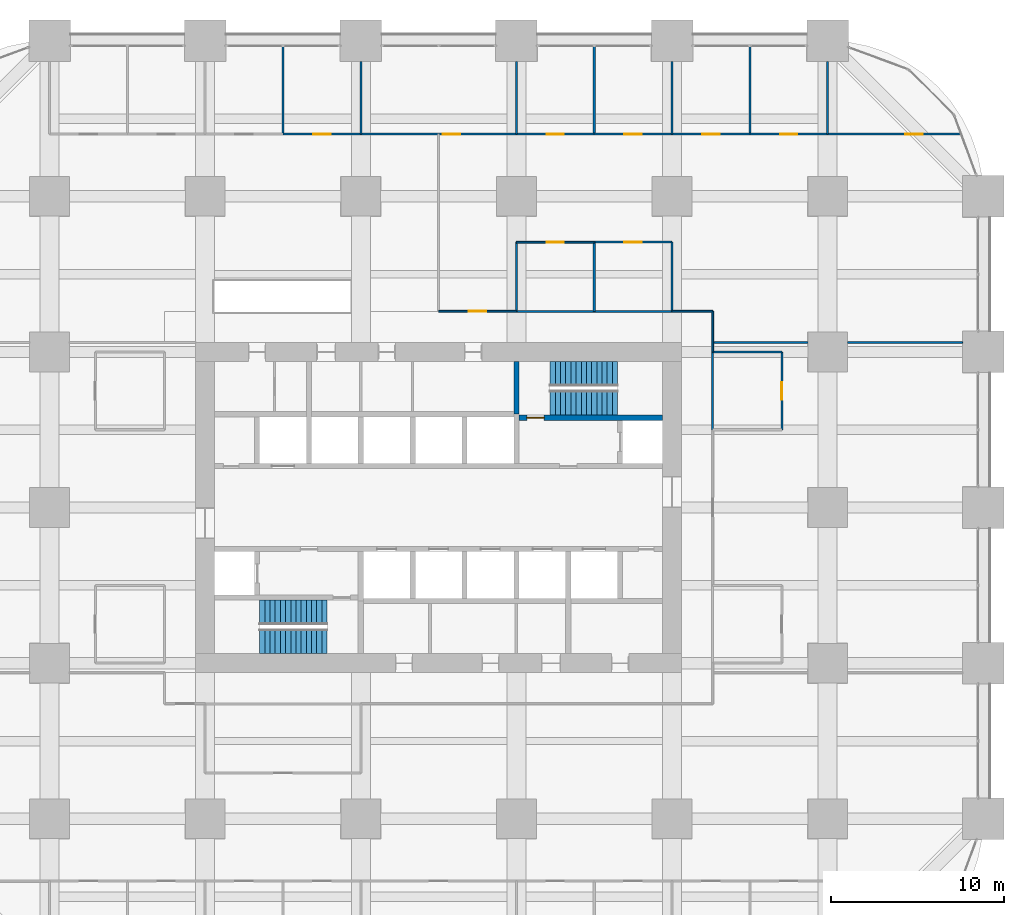
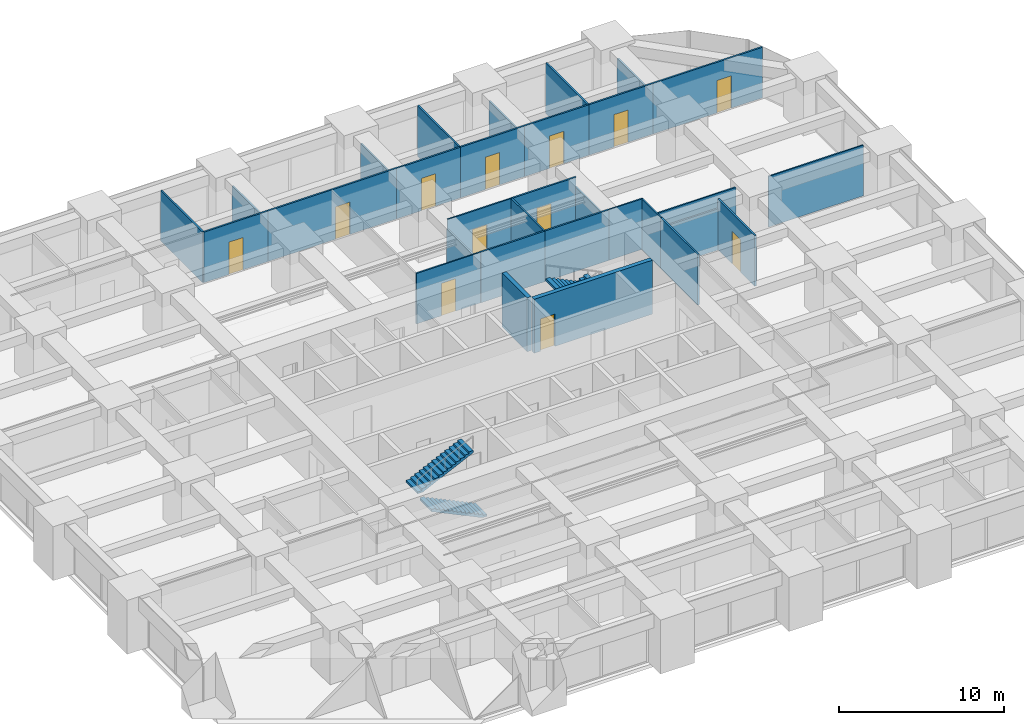
# One storey, part 42 of 44: 31 walls, 12 doors, 4 stair flights, 12 openings, 2 elements without a shape of their own.
"""IFC4 building model written with IfcOpenShell, lengths in metres."""

from ifc_helpers import new_model, si_unit, direction, frame, frame_2d, origin, place, context, subcontext, project, spatial, polyline, rectangle, outline, extrude, material, layer, layer_set, type_object, element, fill, aggregate, save


model = new_model("IFC4")

# Units and contexts
model_context = context("Model", 3, precision=1e-05, world=origin(), true_north=direction((0.0, 1.0)))
body_context = subcontext(model_context, "Body", "Model", "MODEL_VIEW")
ifc_project = project(units=[si_unit("LENGTHUNIT", "METRE"), si_unit("AREAUNIT", "SQUARE_METRE"), si_unit("VOLUMEUNIT", "CUBIC_METRE"), si_unit("PLANEANGLEUNIT", "RADIAN"), si_unit("MASSUNIT", "GRAM", prefix="KILO")], contexts=[model_context])

# Site, building, storey
site_placement = place(None, origin())
site = spatial("IfcSite", under=ifc_project, at=site_placement, CompositionType="ELEMENT")
building_placement = place(site_placement, origin())
building = spatial("IfcBuilding", under=site, at=building_placement, Name="Zorevar Civic Tower", CompositionType="ELEMENT")
storey_placement = place(building_placement, frame((0.0, 0.0, 43.800048828125)))
storey = spatial("IfcBuildingStorey", under=building, at=storey_placement, Name="L10", CompositionType="ELEMENT", Elevation=43.800048828125)

# Walls
ifc_material_1 = material(Name="Laminated glass in black aluminium frame", Category="aluminium")
ifc_layer_1 = layer(ifc_material_1, 0.10009765625)
ifc_layer_set_1 = layer_set([ifc_layer_1], Name="Glazed partition 100")
wall_type_1 = type_object("IfcWallType", Name="Glazed partition 100", PredefinedType="PARTITIONING", material=ifc_layer_set_1)
wall_1_placement = place(storey_placement, frame((47.35009765625, 36.550048828125, 0.0), z_axis=(0.0, 0.0, 1.0), x_axis=(1.0, 0.0, 0.0)))
element("IfcWall", 1, at=wall_1_placement, inside=storey, type_object=wall_type_1, Name="Glazed partition 100 L10", PredefinedType="PARTITIONING", context=body_context, shape_type="SweptSolid", body=[
    extrude(rectangle(XDim=5.5, YDim=0.10009765625, at=frame_2d((2.75, 0.0))), origin(), (0.0, 0.0, 1.0), 3.75),
])
wall_2_placement = place(storey_placement, frame((55.14990234375, 36.550048828125, 0.0), z_axis=(0.0, 0.0, 1.0), x_axis=(1.0, 0.0, 0.0)))
element("IfcWall", 2, at=wall_2_placement, inside=storey, type_object=wall_type_1, Name="Glazed partition 100 L10", PredefinedType="PARTITIONING", context=body_context, shape_type="SweptSolid", body=[
    extrude(rectangle(XDim=6.650146484375, YDim=0.10009765625, at=frame_2d((3.3251953125, 0.0))), origin(), (0.0, 0.0, 1.0), 3.75),
])

# Wall, opening, door
wall_3_placement = place(storey_placement, frame((31.5, 38.35009765625, 0.0), z_axis=(0.0, 0.0, 1.0), x_axis=(1.0, 0.0, 0.0)))
wall_3 = element("IfcWall", 3, at=wall_3_placement, inside=storey, type_object=wall_type_1, Name="Glazed partition 100 L10", PredefinedType="PARTITIONING", context=body_context, shape_type="SweptSolid", body=[
    extrude(rectangle(XDim=4.5, YDim=0.10009765625, at=frame_2d((2.25, 0.0))), origin(), (0.0, 0.0, 1.0), 3.75),
])
opening_1_placement = place(wall_3_placement, frame((1.75, 0.0, 0.0)))
opening_1 = element("IfcOpeningElement", 4, at=opening_1_placement, cuts=wall_3, Name="Opening L10.29", PredefinedType="OPENING", context=body_context, shape_type="SweptSolid", body=[
    extrude(rectangle(XDim=1.0, YDim=2.39990234375, at=frame_2d((0.5, 1.199951171875))), frame((0.0, 0.06005859375, 0.0), z_axis=(0.0, -1.0, 0.0), x_axis=(1.0, 0.0, 0.0)), (0.0, 0.0, 1.0), 0.1201171875),
])
ifc_material_2 = material(Name="Timber door set", Category="wood")
door_type_1 = type_object("IfcDoorType", Name="Glazed door GD1 1000x2400", OperationType="SINGLE_SWING_LEFT", PredefinedType="DOOR", material=ifc_material_2)
door_1_placement = place(opening_1_placement, origin())
door_1 = element("IfcDoor", 5, at=door_1_placement, inside=storey, type_object=door_type_1, Name="Door L10 D1", OperationType="SINGLE_SWING_RIGHT", OverallHeight=2.39990234375, OverallWidth=1.0, PredefinedType="DOOR", context=body_context, shape_type="SweptSolid", body=[
    extrude(rectangle(XDim=1.0, YDim=2.39990234375, at=frame_2d((0.5, 1.199951171875))), frame((0.0, 0.02001953125, 0.0), z_axis=(0.0, -1.0, 0.0), x_axis=(1.0, 0.0, 0.0)), (0.0, 0.0, 1.0), 0.0400390625),
])
fill(opening_1, door_1)

# Wall
wall_4_placement = place(storey_placement, frame((45.0, 38.35009765625, 0.0), z_axis=(0.0, 0.0, 1.0), x_axis=(1.0, 0.0, 0.0)))
element("IfcWall", 6, at=wall_4_placement, inside=storey, type_object=wall_type_1, Name="Glazed partition 100 L10", PredefinedType="PARTITIONING", context=body_context, shape_type="SweptSolid", body=[
    extrude(rectangle(XDim=2.35009765625, YDim=0.10009765625, at=frame_2d((1.175048828125, 0.0))), origin(), (0.0, 0.0, 1.0), 3.75),
])

# Wall, opening, door
wall_5_placement = place(storey_placement, frame((36.0, 42.35009765625, 0.0), z_axis=(0.0, 0.0, 1.0), x_axis=(1.0, 0.0, 0.0)))
wall_5 = element("IfcWall", 7, at=wall_5_placement, inside=storey, type_object=wall_type_1, Name="Glazed partition 100 L10", PredefinedType="PARTITIONING", context=body_context, shape_type="SweptSolid", body=[
    extrude(rectangle(XDim=4.5, YDim=0.10009765625, at=frame_2d((2.25, 0.0))), origin(), (0.0, 0.0, 1.0), 3.75),
])
opening_2_placement = place(wall_5_placement, frame((1.75, 0.0, 0.0)))
opening_2 = element("IfcOpeningElement", 8, at=opening_2_placement, cuts=wall_5, Name="Opening L10.31", PredefinedType="OPENING", context=body_context, shape_type="SweptSolid", body=[
    extrude(rectangle(XDim=1.0, YDim=2.39990234375, at=frame_2d((0.5, 1.199951171875))), frame((0.0, 0.06005859375, 0.0), z_axis=(0.0, -1.0, 0.0), x_axis=(1.0, 0.0, 0.0)), (0.0, 0.0, 1.0), 0.1201171875),
])
door_2_placement = place(opening_2_placement, origin())
door_2 = element("IfcDoor", 9, at=door_2_placement, inside=storey, type_object=door_type_1, Name="Door L10 D1", OperationType="SINGLE_SWING_RIGHT", OverallHeight=2.39990234375, OverallWidth=1.0, PredefinedType="DOOR", context=body_context, shape_type="SweptSolid", body=[
    extrude(rectangle(XDim=1.0, YDim=2.39990234375, at=frame_2d((0.5, 1.199951171875))), frame((0.0, 0.02001953125, 0.0), z_axis=(0.0, -1.0, 0.0), x_axis=(1.0, 0.0, 0.0)), (0.0, 0.0, 1.0), 0.0400390625),
])
fill(opening_2, door_2)

# Wall
wall_6_placement = place(storey_placement, frame((47.35009765625, 36.0, 0.0), z_axis=(0.0, 0.0, 1.0), x_axis=(0.0, 1.0, 0.0)))
element("IfcWall", 10, at=wall_6_placement, inside=storey, type_object=wall_type_1, Name="Glazed partition 100 L10", PredefinedType="PARTITIONING", context=body_context, shape_type="SweptSolid", body=[
    extrude(rectangle(XDim=2.35009765625, YDim=0.10009765625, at=frame_2d((1.175048828125, 0.0))), origin(), (0.0, 0.0, 1.0), 3.75),
])

# Wall, opening, door
ifc_material_3 = material(Name="Concrete C40/50", Category="concrete")
ifc_layer_2 = layer(ifc_material_3, 0.300048828125)
ifc_layer_set_2 = layer_set([ifc_layer_2], Name="Inner core wall 300")
wall_type_2 = type_object("IfcWallType", Name="Inner core wall 300", PredefinedType="SHEAR", material=ifc_layer_set_2)
wall_7_placement = place(storey_placement, frame((36.14990234375, 32.199951171875, 0.0), z_axis=(0.0, 0.0, 1.0), x_axis=(1.0, 0.0, 0.0)))
wall_7 = element("IfcWall", 11, at=wall_7_placement, inside=storey, type_object=wall_type_2, Name="Inner core wall N00 L10", PredefinedType="SHEAR", context=body_context, shape_type="SweptSolid", body=[
    extrude(rectangle(XDim=8.300048828125, YDim=0.300048828125, at=frame_2d((4.14990234375, 0.0))), origin(), (0.0, 0.0, 1.0), 4.0),
])
opening_3_placement = place(wall_7_placement, frame((0.449951171875, 0.0, 0.0)))
opening_3 = element("IfcOpeningElement", 12, at=opening_3_placement, cuts=wall_7, Name="Opening L10.12", PredefinedType="OPENING", context=body_context, shape_type="SweptSolid", body=[
    extrude(rectangle(XDim=1.0, YDim=2.39990234375, at=frame_2d((0.5, 1.199951171875))), frame((0.0, 0.159912109375, 0.0), z_axis=(0.0, -1.0, 0.0), x_axis=(1.0, 0.0, 0.0)), (0.0, 0.0, 1.0), 0.320068359375),
])
ifc_material_4 = material(Name="Steel door set", Category="steel")
door_type_2 = type_object("IfcDoorType", Name="Fire door FD1 1000x2400", OperationType="SINGLE_SWING_LEFT", PredefinedType="DOOR", material=ifc_material_4)
door_3_placement = place(opening_3_placement, origin())
door_3 = element("IfcDoor", 13, at=door_3_placement, inside=storey, type_object=door_type_2, Name="Door L10 11", OperationType="SINGLE_SWING_RIGHT", OverallHeight=2.39990234375, OverallWidth=1.0, PredefinedType="DOOR", context=body_context, shape_type="SweptSolid", body=[
    extrude(rectangle(XDim=1.0, YDim=2.39990234375, at=frame_2d((0.5, 1.199951171875))), frame((0.0, 0.030029296875, 0.0), z_axis=(0.0, -1.0, 0.0), x_axis=(1.0, 0.0, 0.0)), (0.0, 0.0, 1.0), 0.06005859375),
])
fill(opening_3, door_3)

# Walls
wall_8_placement = place(storey_placement, frame((36.0, 32.39990234375, 0.0), z_axis=(0.0, 0.0, 1.0), x_axis=(0.0, 1.0, 0.0)))
element("IfcWall", 14, at=wall_8_placement, inside=storey, type_object=wall_type_2, Name="Inner core wall N01 L10", PredefinedType="SHEAR", context=body_context, shape_type="SweptSolid", body=[
    extrude(rectangle(XDim=3.050048828125, YDim=0.300048828125, at=frame_2d((1.52490234375, 0.0))), origin(), (0.0, 0.0, 1.0), 4.0),
])
ifc_material_5 = material(Name="Gypsum board on steel studs", Category="steel")
ifc_layer_3 = layer(ifc_material_5, 0.1201171875)
ifc_layer_set_3 = layer_set([ifc_layer_3], Name="Partition 120")
wall_type_3 = type_object("IfcWallType", Name="Partition 120", PredefinedType="PARTITIONING", material=ifc_layer_set_3)
wall_9_placement = place(storey_placement, frame((47.35009765625, 36.0, 0.0), z_axis=(0.0, 0.0, 1.0), x_axis=(1.0, 0.0, 0.0)))
element("IfcWall", 15, at=wall_9_placement, inside=storey, type_object=wall_type_3, Name="Partition 120 L10", PredefinedType="PARTITIONING", context=body_context, shape_type="SweptSolid", body=[
    extrude(rectangle(XDim=4.0, YDim=0.1201171875, at=frame_2d((2.0, 0.0))), origin(), (0.0, 0.0, 1.0), 3.050048828125),
])
for number, where, z_axis, x_axis, name in (
    (16, (36.0, 38.35009765625, 0.0), (0.0, 0.0, 1.0), (1.0, 0.0, 0.0), "Partition 120 L10"),
    (17, (40.5, 38.35009765625, 0.0), (0.0, 0.0, 1.0), (1.0, 0.0, 0.0), "Partition 120 L10"),
):
    element("IfcWall", number, at=place(storey_placement, frame(where, z_axis=z_axis, x_axis=x_axis)), inside=storey, type_object=wall_type_3, Name=name, PredefinedType="PARTITIONING", context=body_context, shape_type="SweptSolid", body=[
        extrude(rectangle(XDim=4.5, YDim=0.1201171875, at=frame_2d((2.25, 0.0))), origin(), (0.0, 0.0, 1.0), 3.75),
    ])

# Wall, opening, door
wall_10_placement = place(storey_placement, frame((40.5, 42.35009765625, 0.0), z_axis=(0.0, 0.0, 1.0), x_axis=(1.0, 0.0, 0.0)))
wall_10 = element("IfcWall", 18, at=wall_10_placement, inside=storey, type_object=wall_type_3, Name="Partition 120 L10", PredefinedType="PARTITIONING", context=body_context, shape_type="SweptSolid", body=[
    extrude(rectangle(XDim=4.5, YDim=0.1201171875, at=frame_2d((2.25, 0.0))), origin(), (0.0, 0.0, 1.0), 3.75),
])
opening_4_placement = place(wall_10_placement, frame((1.75, 0.0, 0.0)))
opening_4 = element("IfcOpeningElement", 19, at=opening_4_placement, cuts=wall_10, Name="Opening L10.30", PredefinedType="OPENING", context=body_context, shape_type="SweptSolid", body=[
    extrude(rectangle(XDim=1.0, YDim=2.39990234375, at=frame_2d((0.5, 1.199951171875))), frame((0.0, 0.070068359375, 0.0), z_axis=(0.0, -1.0, 0.0), x_axis=(1.0, 0.0, 0.0)), (0.0, 0.0, 1.0), 0.14013671875),
])
ifc_material_6 = material(Name="Timber door set", Category="wood")
door_type_3 = type_object("IfcDoorType", Name="Door D1 1000x2400", OperationType="SINGLE_SWING_LEFT", PredefinedType="DOOR", material=ifc_material_6)
door_4_placement = place(opening_4_placement, origin())
door_4 = element("IfcDoor", 20, at=door_4_placement, inside=storey, type_object=door_type_3, Name="Door L10 D1", OperationType="SINGLE_SWING_RIGHT", OverallHeight=2.39990234375, OverallWidth=1.0, PredefinedType="DOOR", context=body_context, shape_type="SweptSolid", body=[
    extrude(rectangle(XDim=1.0, YDim=2.39990234375, at=frame_2d((0.5, 1.199951171875))), frame((0.0, 0.02490234375, 0.0), z_axis=(0.0, -1.0, 0.0), x_axis=(1.0, 0.0, 0.0)), (0.0, 0.0, 1.0), 0.050048828125),
])
fill(opening_4, door_4)

wall_11_placement = place(storey_placement, frame((22.5, 48.60009765625, 0.0), z_axis=(0.0, 0.0, 1.0), x_axis=(1.0, 0.0, 0.0)))
wall_11 = element("IfcWall", 21, at=wall_11_placement, inside=storey, type_object=wall_type_3, Name="Partition 120 L10", PredefinedType="PARTITIONING", context=body_context, shape_type="SweptSolid", body=[
    extrude(rectangle(XDim=4.5, YDim=0.1201171875, at=frame_2d((2.25, 0.0))), origin(), (0.0, 0.0, 1.0), 3.75),
])
opening_5_placement = place(wall_11_placement, frame((1.75, 0.0, 0.0)))
opening_5 = element("IfcOpeningElement", 22, at=opening_5_placement, cuts=wall_11, Name="Opening L10.35", PredefinedType="OPENING", context=body_context, shape_type="SweptSolid", body=[
    extrude(rectangle(XDim=1.0, YDim=2.39990234375, at=frame_2d((0.5, 1.199951171875))), frame((0.0, 0.070068359375, 0.0), z_axis=(0.0, -1.0, 0.0), x_axis=(1.0, 0.0, 0.0)), (0.0, 0.0, 1.0), 0.14013671875),
])
door_5_placement = place(opening_5_placement, origin())
door_5 = element("IfcDoor", 23, at=door_5_placement, inside=storey, type_object=door_type_3, Name="Door L10 D1", OperationType="SINGLE_SWING_RIGHT", OverallHeight=2.39990234375, OverallWidth=1.0, PredefinedType="DOOR", context=body_context, shape_type="SweptSolid", body=[
    extrude(rectangle(XDim=1.0, YDim=2.39990234375, at=frame_2d((0.5, 1.199951171875))), frame((0.0, 0.02490234375, 0.0), z_axis=(0.0, -1.0, 0.0), x_axis=(1.0, 0.0, 0.0)), (0.0, 0.0, 1.0), 0.050048828125),
])
fill(opening_5, door_5)

wall_12_placement = place(storey_placement, frame((27.0, 48.60009765625, 0.0), z_axis=(0.0, 0.0, 1.0), x_axis=(1.0, 0.0, 0.0)))
wall_12 = element("IfcWall", 24, at=wall_12_placement, inside=storey, type_object=wall_type_3, Name="Partition 120 L10", PredefinedType="PARTITIONING", context=body_context, shape_type="SweptSolid", body=[
    extrude(rectangle(XDim=9.0, YDim=0.1201171875, at=frame_2d((4.5, 0.0))), origin(), (0.0, 0.0, 1.0), 3.75),
])
opening_6_placement = place(wall_12_placement, frame((4.75, 0.0, 0.0)))
opening_6 = element("IfcOpeningElement", 25, at=opening_6_placement, cuts=wall_12, Name="Opening L10.36", PredefinedType="OPENING", context=body_context, shape_type="SweptSolid", body=[
    extrude(rectangle(XDim=1.0, YDim=2.39990234375, at=frame_2d((0.5, 1.199951171875))), frame((0.0, 0.070068359375, 0.0), z_axis=(0.0, -1.0, 0.0), x_axis=(1.0, 0.0, 0.0)), (0.0, 0.0, 1.0), 0.14013671875),
])
door_6_placement = place(opening_6_placement, origin())
door_6 = element("IfcDoor", 26, at=door_6_placement, inside=storey, type_object=door_type_3, Name="Door L10 D1", OperationType="SINGLE_SWING_RIGHT", OverallHeight=2.39990234375, OverallWidth=1.0, PredefinedType="DOOR", context=body_context, shape_type="SweptSolid", body=[
    extrude(rectangle(XDim=1.0, YDim=2.39990234375, at=frame_2d((0.5, 1.199951171875))), frame((0.0, 0.02490234375, 0.0), z_axis=(0.0, -1.0, 0.0), x_axis=(1.0, 0.0, 0.0)), (0.0, 0.0, 1.0), 0.050048828125),
])
fill(opening_6, door_6)

wall_13_placement = place(storey_placement, frame((36.0, 48.60009765625, 0.0), z_axis=(0.0, 0.0, 1.0), x_axis=(1.0, 0.0, 0.0)))
wall_13 = element("IfcWall", 27, at=wall_13_placement, inside=storey, type_object=wall_type_3, Name="Partition 120 L10", PredefinedType="PARTITIONING", context=body_context, shape_type="SweptSolid", body=[
    extrude(rectangle(XDim=4.5, YDim=0.1201171875, at=frame_2d((2.25, 0.0))), origin(), (0.0, 0.0, 1.0), 3.75),
])
opening_7_placement = place(wall_13_placement, frame((1.75, 0.0, 0.0)))
opening_7 = element("IfcOpeningElement", 28, at=opening_7_placement, cuts=wall_13, Name="Opening L10.37", PredefinedType="OPENING", context=body_context, shape_type="SweptSolid", body=[
    extrude(rectangle(XDim=1.0, YDim=2.39990234375, at=frame_2d((0.5, 1.199951171875))), frame((0.0, 0.070068359375, 0.0), z_axis=(0.0, -1.0, 0.0), x_axis=(1.0, 0.0, 0.0)), (0.0, 0.0, 1.0), 0.14013671875),
])
door_7_placement = place(opening_7_placement, origin())
door_7 = element("IfcDoor", 29, at=door_7_placement, inside=storey, type_object=door_type_3, Name="Door L10 D1", OperationType="SINGLE_SWING_LEFT", OverallHeight=2.39990234375, OverallWidth=1.0, PredefinedType="DOOR", context=body_context, shape_type="SweptSolid", body=[
    extrude(rectangle(XDim=1.0, YDim=2.39990234375, at=frame_2d((0.5, 1.199951171875))), frame((0.0, 0.02490234375, 0.0), z_axis=(0.0, -1.0, 0.0), x_axis=(1.0, 0.0, 0.0)), (0.0, 0.0, 1.0), 0.050048828125),
])
fill(opening_7, door_7)

wall_14_placement = place(storey_placement, frame((40.5, 48.60009765625, 0.0), z_axis=(0.0, 0.0, 1.0), x_axis=(1.0, 0.0, 0.0)))
wall_14 = element("IfcWall", 30, at=wall_14_placement, inside=storey, type_object=wall_type_3, Name="Partition 120 L10", PredefinedType="PARTITIONING", context=body_context, shape_type="SweptSolid", body=[
    extrude(rectangle(XDim=4.5, YDim=0.1201171875, at=frame_2d((2.25, 0.0))), origin(), (0.0, 0.0, 1.0), 3.75),
])
opening_8_placement = place(wall_14_placement, frame((1.75, 0.0, 0.0)))
opening_8 = element("IfcOpeningElement", 31, at=opening_8_placement, cuts=wall_14, Name="Opening L10.38", PredefinedType="OPENING", context=body_context, shape_type="SweptSolid", body=[
    extrude(rectangle(XDim=1.0, YDim=2.39990234375, at=frame_2d((0.5, 1.199951171875))), frame((0.0, 0.070068359375, 0.0), z_axis=(0.0, -1.0, 0.0), x_axis=(1.0, 0.0, 0.0)), (0.0, 0.0, 1.0), 0.14013671875),
])
door_8_placement = place(opening_8_placement, origin())
door_8 = element("IfcDoor", 32, at=door_8_placement, inside=storey, type_object=door_type_3, Name="Door L10 D1", OperationType="SINGLE_SWING_LEFT", OverallHeight=2.39990234375, OverallWidth=1.0, PredefinedType="DOOR", context=body_context, shape_type="SweptSolid", body=[
    extrude(rectangle(XDim=1.0, YDim=2.39990234375, at=frame_2d((0.5, 1.199951171875))), frame((0.0, 0.02490234375, 0.0), z_axis=(0.0, -1.0, 0.0), x_axis=(1.0, 0.0, 0.0)), (0.0, 0.0, 1.0), 0.050048828125),
])
fill(opening_8, door_8)

wall_15_placement = place(storey_placement, frame((45.0, 48.60009765625, 0.0), z_axis=(0.0, 0.0, 1.0), x_axis=(1.0, 0.0, 0.0)))
wall_15 = element("IfcWall", 33, at=wall_15_placement, inside=storey, type_object=wall_type_3, Name="Partition 120 L10", PredefinedType="PARTITIONING", context=body_context, shape_type="SweptSolid", body=[
    extrude(rectangle(XDim=4.5, YDim=0.1201171875, at=frame_2d((2.25, 0.0))), origin(), (0.0, 0.0, 1.0), 3.75),
])
opening_9_placement = place(wall_15_placement, frame((1.75, 0.0, 0.0)))
opening_9 = element("IfcOpeningElement", 34, at=opening_9_placement, cuts=wall_15, Name="Opening L10.39", PredefinedType="OPENING", context=body_context, shape_type="SweptSolid", body=[
    extrude(rectangle(XDim=1.0, YDim=2.39990234375, at=frame_2d((0.5, 1.199951171875))), frame((0.0, 0.070068359375, 0.0), z_axis=(0.0, -1.0, 0.0), x_axis=(1.0, 0.0, 0.0)), (0.0, 0.0, 1.0), 0.14013671875),
])
door_9_placement = place(opening_9_placement, origin())
door_9 = element("IfcDoor", 35, at=door_9_placement, inside=storey, type_object=door_type_3, Name="Door L10 D1", OperationType="SINGLE_SWING_RIGHT", OverallHeight=2.39990234375, OverallWidth=1.0, PredefinedType="DOOR", context=body_context, shape_type="SweptSolid", body=[
    extrude(rectangle(XDim=1.0, YDim=2.39990234375, at=frame_2d((0.5, 1.199951171875))), frame((0.0, 0.02490234375, 0.0), z_axis=(0.0, -1.0, 0.0), x_axis=(1.0, 0.0, 0.0)), (0.0, 0.0, 1.0), 0.050048828125),
])
fill(opening_9, door_9)

wall_16_placement = place(storey_placement, frame((49.5, 48.60009765625, 0.0), z_axis=(0.0, 0.0, 1.0), x_axis=(1.0, 0.0, 0.0)))
wall_16 = element("IfcWall", 36, at=wall_16_placement, inside=storey, type_object=wall_type_3, Name="Partition 120 L10", PredefinedType="PARTITIONING", context=body_context, shape_type="SweptSolid", body=[
    extrude(rectangle(XDim=4.5, YDim=0.1201171875, at=frame_2d((2.25, 0.0))), origin(), (0.0, 0.0, 1.0), 3.75),
])
opening_10_placement = place(wall_16_placement, frame((1.75, 0.0, 0.0)))
opening_10 = element("IfcOpeningElement", 37, at=opening_10_placement, cuts=wall_16, Name="Opening L10.40", PredefinedType="OPENING", context=body_context, shape_type="SweptSolid", body=[
    extrude(rectangle(XDim=1.0, YDim=2.39990234375, at=frame_2d((0.5, 1.199951171875))), frame((0.0, 0.070068359375, 0.0), z_axis=(0.0, -1.0, 0.0), x_axis=(1.0, 0.0, 0.0)), (0.0, 0.0, 1.0), 0.14013671875),
])
door_10_placement = place(opening_10_placement, origin())
door_10 = element("IfcDoor", 38, at=door_10_placement, inside=storey, type_object=door_type_3, Name="Door L10 D1", OperationType="SINGLE_SWING_RIGHT", OverallHeight=2.39990234375, OverallWidth=1.0, PredefinedType="DOOR", context=body_context, shape_type="SweptSolid", body=[
    extrude(rectangle(XDim=1.0, YDim=2.39990234375, at=frame_2d((0.5, 1.199951171875))), frame((0.0, 0.02490234375, 0.0), z_axis=(0.0, -1.0, 0.0), x_axis=(1.0, 0.0, 0.0)), (0.0, 0.0, 1.0), 0.050048828125),
])
fill(opening_10, door_10)

wall_17_placement = place(storey_placement, frame((54.0, 48.60009765625, 0.0), z_axis=(0.0, 0.0, 1.0), x_axis=(1.0, 0.0, 0.0)))
wall_17 = element("IfcWall", 39, at=wall_17_placement, inside=storey, type_object=wall_type_3, Name="Partition 120 L10", PredefinedType="PARTITIONING", context=body_context, shape_type="SweptSolid", body=[
    extrude(rectangle(XDim=7.6904296875, YDim=0.1201171875, at=frame_2d((3.84521484375, 0.0))), origin(), (0.0, 0.0, 1.0), 3.75),
])
opening_11_placement = place(wall_17_placement, frame((4.5, 0.0, 0.0)))
opening_11 = element("IfcOpeningElement", 40, at=opening_11_placement, cuts=wall_17, Name="Opening L10.41", PredefinedType="OPENING", context=body_context, shape_type="SweptSolid", body=[
    extrude(rectangle(XDim=1.0, YDim=2.39990234375, at=frame_2d((0.5, 1.199951171875))), frame((0.0, 0.070068359375, 0.0), z_axis=(0.0, -1.0, 0.0), x_axis=(1.0, 0.0, 0.0)), (0.0, 0.0, 1.0), 0.14013671875),
])
door_11_placement = place(opening_11_placement, origin())
door_11 = element("IfcDoor", 41, at=door_11_placement, inside=storey, type_object=door_type_3, Name="Door L10 D1", OperationType="SINGLE_SWING_RIGHT", OverallHeight=2.39990234375, OverallWidth=1.0, PredefinedType="DOOR", context=body_context, shape_type="SweptSolid", body=[
    extrude(rectangle(XDim=1.0, YDim=2.39990234375, at=frame_2d((0.5, 1.199951171875))), frame((0.0, 0.02490234375, 0.0), z_axis=(0.0, -1.0, 0.0), x_axis=(1.0, 0.0, 0.0)), (0.0, 0.0, 1.0), 0.050048828125),
])
fill(opening_11, door_11)

# Walls
wall_18_placement = place(storey_placement, frame((22.5, 48.60009765625, 0.0), z_axis=(0.0, 0.0, 1.0), x_axis=(0.0, 1.0, 0.0)))
element("IfcWall", 42, at=wall_18_placement, inside=storey, type_object=wall_type_3, Name="Partition 120 L10", PredefinedType="PARTITIONING", context=body_context, shape_type="SweptSolid", body=[
    extrude(rectangle(XDim=5.08984375, YDim=0.1201171875, at=frame_2d((2.544921875, 0.0))), origin(), (0.0, 0.0, 1.0), 3.75),
])
for number, where, z_axis, x_axis, name in (
    (43, (27.0, 48.60009765625, 0.0), (0.0, 0.0, 1.0), (0.0, 1.0, 0.0), "Partition 120 L10"),
    (44, (36.0, 48.60009765625, 0.0), (0.0, 0.0, 1.0), (0.0, 1.0, 0.0), "Partition 120 L10"),
):
    element("IfcWall", number, at=place(storey_placement, frame(where, z_axis=z_axis, x_axis=x_axis)), inside=storey, type_object=wall_type_3, Name=name, PredefinedType="PARTITIONING", context=body_context, shape_type="SweptSolid", body=[
        extrude(rectangle(XDim=4.199951171875, YDim=0.1201171875, at=frame_2d((2.10009765625, 0.0))), origin(), (0.0, 0.0, 1.0), 3.050048828125),
    ])
wall_19_placement = place(storey_placement, frame((36.0, 38.35009765625, 0.0), z_axis=(0.0, 0.0, 1.0), x_axis=(0.0, 1.0, 0.0)))
element("IfcWall", 45, at=wall_19_placement, inside=storey, type_object=wall_type_3, Name="Partition 120 L10", PredefinedType="PARTITIONING", context=body_context, shape_type="SweptSolid", body=[
    extrude(rectangle(XDim=4.0, YDim=0.1201171875, at=frame_2d((2.0, 0.0))), origin(), (0.0, 0.0, 1.0), 3.050048828125),
])
wall_20_placement = place(storey_placement, frame((40.5, 48.60009765625, 0.0), z_axis=(0.0, 0.0, 1.0), x_axis=(0.0, 1.0, 0.0)))
element("IfcWall", 46, at=wall_20_placement, inside=storey, type_object=wall_type_3, Name="Partition 120 L10", PredefinedType="PARTITIONING", context=body_context, shape_type="SweptSolid", body=[
    extrude(rectangle(XDim=5.08984375, YDim=0.1201171875, at=frame_2d((2.544921875, 0.0))), origin(), (0.0, 0.0, 1.0), 3.75),
])
wall_21_placement = place(storey_placement, frame((40.5, 38.35009765625, 0.0), z_axis=(0.0, 0.0, 1.0), x_axis=(0.0, 1.0, 0.0)))
element("IfcWall", 47, at=wall_21_placement, inside=storey, type_object=wall_type_3, Name="Partition 120 L10", PredefinedType="PARTITIONING", context=body_context, shape_type="SweptSolid", body=[
    extrude(rectangle(XDim=4.0, YDim=0.1201171875, at=frame_2d((2.0, 0.0))), origin(), (0.0, 0.0, 1.0), 3.75),
])
wall_22_placement = place(storey_placement, frame((45.0, 48.60009765625, 0.0), z_axis=(0.0, 0.0, 1.0), x_axis=(0.0, 1.0, 0.0)))
element("IfcWall", 48, at=wall_22_placement, inside=storey, type_object=wall_type_3, Name="Partition 120 L10", PredefinedType="PARTITIONING", context=body_context, shape_type="SweptSolid", body=[
    extrude(rectangle(XDim=4.199951171875, YDim=0.1201171875, at=frame_2d((2.10009765625, 0.0))), origin(), (0.0, 0.0, 1.0), 3.050048828125),
])
wall_23_placement = place(storey_placement, frame((45.0, 38.35009765625, 0.0), z_axis=(0.0, 0.0, 1.0), x_axis=(0.0, 1.0, 0.0)))
element("IfcWall", 49, at=wall_23_placement, inside=storey, type_object=wall_type_3, Name="Partition 120 L10", PredefinedType="PARTITIONING", context=body_context, shape_type="SweptSolid", body=[
    extrude(rectangle(XDim=4.0, YDim=0.1201171875, at=frame_2d((2.0, 0.0))), origin(), (0.0, 0.0, 1.0), 3.050048828125),
])
wall_24_placement = place(storey_placement, frame((47.35009765625, 31.5, 0.0), z_axis=(0.0, 0.0, 1.0), x_axis=(0.0, 1.0, 0.0)))
element("IfcWall", 50, at=wall_24_placement, inside=storey, type_object=wall_type_3, Name="Partition 120 L10", PredefinedType="PARTITIONING", context=body_context, shape_type="SweptSolid", body=[
    extrude(rectangle(XDim=4.5, YDim=0.1201171875, at=frame_2d((2.25, 0.0))), origin(), (0.0, 0.0, 1.0), 3.75),
])
wall_25_placement = place(storey_placement, frame((49.5, 48.60009765625, 0.0), z_axis=(0.0, 0.0, 1.0), x_axis=(0.0, 1.0, 0.0)))
element("IfcWall", 51, at=wall_25_placement, inside=storey, type_object=wall_type_3, Name="Partition 120 L10", PredefinedType="PARTITIONING", context=body_context, shape_type="SweptSolid", body=[
    extrude(rectangle(XDim=5.08984375, YDim=0.1201171875, at=frame_2d((2.544921875, 0.0))), origin(), (0.0, 0.0, 1.0), 3.75),
])

# Wall, opening, door
wall_26_placement = place(storey_placement, frame((51.35009765625, 31.5, 0.0), z_axis=(0.0, 0.0, 1.0), x_axis=(0.0, 1.0, 0.0)))
wall_26 = element("IfcWall", 52, at=wall_26_placement, inside=storey, type_object=wall_type_3, Name="Partition 120 L10", PredefinedType="PARTITIONING", context=body_context, shape_type="SweptSolid", body=[
    extrude(rectangle(XDim=4.5, YDim=0.1201171875, at=frame_2d((2.25, 0.0))), origin(), (0.0, 0.0, 1.0), 3.75),
])
opening_12_placement = place(wall_26_placement, frame((1.75, 0.0, 0.0)))
opening_12 = element("IfcOpeningElement", 53, at=opening_12_placement, cuts=wall_26, Name="Opening L10.45", PredefinedType="OPENING", context=body_context, shape_type="SweptSolid", body=[
    extrude(rectangle(XDim=1.0, YDim=2.39990234375, at=frame_2d((0.5, 1.199951171875))), frame((0.0, 0.070068359375, 0.0), z_axis=(0.0, -1.0, 0.0), x_axis=(1.0, 0.0, 0.0)), (0.0, 0.0, 1.0), 0.14013671875),
])
door_12_placement = place(opening_12_placement, origin())
door_12 = element("IfcDoor", 54, at=door_12_placement, inside=storey, type_object=door_type_3, Name="Door L10 D1", OperationType="SINGLE_SWING_RIGHT", OverallHeight=2.39990234375, OverallWidth=1.0, PredefinedType="DOOR", context=body_context, shape_type="SweptSolid", body=[
    extrude(rectangle(XDim=1.0, YDim=2.39990234375, at=frame_2d((0.5, 1.199951171875))), frame((0.0, 0.02490234375, 0.0), z_axis=(0.0, -1.0, 0.0), x_axis=(1.0, 0.0, 0.0)), (0.0, 0.0, 1.0), 0.050048828125),
])
fill(opening_12, door_12)

# Wall
wall_27_placement = place(storey_placement, frame((54.0, 48.60009765625, 0.0), z_axis=(0.0, 0.0, 1.0), x_axis=(0.0, 1.0, 0.0)))
element("IfcWall", 55, at=wall_27_placement, inside=storey, type_object=wall_type_3, Name="Partition 120 L10", PredefinedType="PARTITIONING", context=body_context, shape_type="SweptSolid", body=[
    extrude(rectangle(XDim=4.199951171875, YDim=0.1201171875, at=frame_2d((2.10009765625, 0.0))), origin(), (0.0, 0.0, 1.0), 3.050048828125),
])

# Stair, stair flights
ifc_material_7 = material(Name="Precast concrete C40/50", Category="concrete")
stair_type = type_object("IfcStairType", Name="Stair ST 28R", PredefinedType="HALF_TURN_STAIR", material=ifc_material_7)
stair_1_placement = place(storey_placement, origin())
stair_1 = element("IfcStair", 56, at=stair_1_placement, inside=storey, type_object=stair_type, Name="Stair ST1 L10", PredefinedType="HALF_TURN_STAIR")
ifc_material_8 = material(Name="Precast concrete C40/50", Category="concrete")
stair_flight_type = type_object("IfcStairFlightType", Name="Stair flight", PredefinedType="STRAIGHT", material=ifc_material_8)
stair_flight_1_placement = place(storey_placement, frame((25.050048828125, 19.262451171875, 0.0), z_axis=(0.0, 0.0, 1.0), x_axis=(-1.0, 0.0, 0.0)))
stair_flight_1 = element("IfcStairFlight", 57, at=stair_flight_1_placement, type_object=stair_flight_type, Name="ST1 flight 1", NumberOfRisers=14, NumberOfTreads=13, PredefinedType="STRAIGHT", RiserHeight=0.142857143, TreadLength=0.3, context=body_context, shape_type="SweptSolid", body=[
    extrude(outline(polyline([(0.0, 0.0), (0.0, 0.142822265625), (0.300048828125, 0.142822265625), (0.300048828125, 0.28564453125), (0.60009765625, 0.28564453125), (0.60009765625, 0.428466796875), (0.89990234375, 0.428466796875), (0.89990234375, 0.571533203125), (1.199951171875, 0.571533203125), (1.199951171875, 0.71435546875), (1.5, 0.71435546875), (1.5, 0.857177734375), (1.800048828125, 0.857177734375), (1.800048828125, 1.0), (2.10009765625, 1.0), (2.10009765625, 1.142822265625), (2.39990234375, 1.142822265625), (2.39990234375, 1.28564453125), (2.699951171875, 1.28564453125), (2.699951171875, 1.428466796875), (3.0, 1.428466796875), (3.0, 1.571533203125), (3.300048828125, 1.571533203125), (3.300048828125, 1.71435546875), (3.60009765625, 1.71435546875), (3.60009765625, 1.857177734375), (3.89990234375, 1.857177734375), (3.89990234375, 2.0), (3.89990234375, 1.691162109375), (0.3486328125, 0.0), (0.0, 0.0)])), frame((0.0, 0.71240234375, 0.0), z_axis=(0.0, -1.0, 0.0), x_axis=(1.0, 0.0, 0.0)), (0.0, 0.0, 1.0), 1.425048828125),
])
stair_flight_2_placement = place(storey_placement, frame((21.14990234375, 20.9375, 2.0), z_axis=(0.0, 0.0, 1.0), x_axis=(1.0, 0.0, 0.0)))
stair_flight_2 = element("IfcStairFlight", 58, at=stair_flight_2_placement, type_object=stair_flight_type, Name="ST1 flight 2", NumberOfRisers=14, NumberOfTreads=13, PredefinedType="STRAIGHT", RiserHeight=0.142857143, TreadLength=0.3, context=body_context, shape_type="SweptSolid", body=[
    extrude(outline(polyline([(0.0, 0.0), (0.0, 0.142822265625), (0.300048828125, 0.142822265625), (0.300048828125, 0.28564453125), (0.60009765625, 0.28564453125), (0.60009765625, 0.428466796875), (0.89990234375, 0.428466796875), (0.89990234375, 0.571533203125), (1.199951171875, 0.571533203125), (1.199951171875, 0.71435546875), (1.5, 0.71435546875), (1.5, 0.857177734375), (1.800048828125, 0.857177734375), (1.800048828125, 1.0), (2.10009765625, 1.0), (2.10009765625, 1.142822265625), (2.39990234375, 1.142822265625), (2.39990234375, 1.28564453125), (2.699951171875, 1.28564453125), (2.699951171875, 1.428466796875), (3.0, 1.428466796875), (3.0, 1.571533203125), (3.300048828125, 1.571533203125), (3.300048828125, 1.71435546875), (3.60009765625, 1.71435546875), (3.60009765625, 1.857177734375), (3.89990234375, 1.857177734375), (3.89990234375, 2.0), (3.89990234375, 1.691162109375), (0.3486328125, 0.0), (0.0, 0.0)])), frame((0.0, 0.71240234375, 0.0), z_axis=(0.0, -1.0, 0.0), x_axis=(1.0, 0.0, 0.0)), (0.0, 0.0, 1.0), 1.425048828125),
])
aggregate(stair_1, [stair_flight_1, stair_flight_2])

stair_2_placement = place(storey_placement, origin())
stair_2 = element("IfcStair", 59, at=stair_2_placement, inside=storey, type_object=stair_type, Name="Stair ST2 L10", PredefinedType="HALF_TURN_STAIR")
stair_flight_3_placement = place(storey_placement, frame((37.949951171875, 34.737548828125, 0.0), z_axis=(0.0, 0.0, 1.0), x_axis=(1.0, 0.0, 0.0)))
stair_flight_3 = element("IfcStairFlight", 60, at=stair_flight_3_placement, type_object=stair_flight_type, Name="ST2 flight 1", NumberOfRisers=14, NumberOfTreads=13, PredefinedType="STRAIGHT", RiserHeight=0.142857143, TreadLength=0.3, context=body_context, shape_type="SweptSolid", body=[
    extrude(outline(polyline([(0.0, 0.0), (0.0, 0.142822265625), (0.300048828125, 0.142822265625), (0.300048828125, 0.28564453125), (0.60009765625, 0.28564453125), (0.60009765625, 0.428466796875), (0.89990234375, 0.428466796875), (0.89990234375, 0.571533203125), (1.199951171875, 0.571533203125), (1.199951171875, 0.71435546875), (1.5, 0.71435546875), (1.5, 0.857177734375), (1.800048828125, 0.857177734375), (1.800048828125, 1.0), (2.10009765625, 1.0), (2.10009765625, 1.142822265625), (2.39990234375, 1.142822265625), (2.39990234375, 1.28564453125), (2.699951171875, 1.28564453125), (2.699951171875, 1.428466796875), (3.0, 1.428466796875), (3.0, 1.571533203125), (3.300048828125, 1.571533203125), (3.300048828125, 1.71435546875), (3.60009765625, 1.71435546875), (3.60009765625, 1.857177734375), (3.89990234375, 1.857177734375), (3.89990234375, 2.0), (3.89990234375, 1.691162109375), (0.3486328125, 0.0), (0.0, 0.0)])), frame((0.0, 0.71240234375, 0.0), z_axis=(0.0, -1.0, 0.0), x_axis=(1.0, 0.0, 0.0)), (0.0, 0.0, 1.0), 1.425048828125),
])
stair_flight_4_placement = place(storey_placement, frame((41.85009765625, 33.0625, 2.0), z_axis=(0.0, 0.0, 1.0), x_axis=(-1.0, 0.0, 0.0)))
stair_flight_4 = element("IfcStairFlight", 61, at=stair_flight_4_placement, type_object=stair_flight_type, Name="ST2 flight 2", NumberOfRisers=14, NumberOfTreads=13, PredefinedType="STRAIGHT", RiserHeight=0.142857143, TreadLength=0.3, context=body_context, shape_type="SweptSolid", body=[
    extrude(outline(polyline([(0.0, 0.0), (0.0, 0.142822265625), (0.300048828125, 0.142822265625), (0.300048828125, 0.28564453125), (0.60009765625, 0.28564453125), (0.60009765625, 0.428466796875), (0.89990234375, 0.428466796875), (0.89990234375, 0.571533203125), (1.199951171875, 0.571533203125), (1.199951171875, 0.71435546875), (1.5, 0.71435546875), (1.5, 0.857177734375), (1.800048828125, 0.857177734375), (1.800048828125, 1.0), (2.10009765625, 1.0), (2.10009765625, 1.142822265625), (2.39990234375, 1.142822265625), (2.39990234375, 1.28564453125), (2.699951171875, 1.28564453125), (2.699951171875, 1.428466796875), (3.0, 1.428466796875), (3.0, 1.571533203125), (3.300048828125, 1.571533203125), (3.300048828125, 1.71435546875), (3.60009765625, 1.71435546875), (3.60009765625, 1.857177734375), (3.89990234375, 1.857177734375), (3.89990234375, 2.0), (3.89990234375, 1.691162109375), (0.3486328125, 0.0), (0.0, 0.0)])), frame((0.0, 0.71240234375, 0.0), z_axis=(0.0, -1.0, 0.0), x_axis=(1.0, 0.0, 0.0)), (0.0, 0.0, 1.0), 1.425048828125),
])
aggregate(stair_2, [stair_flight_3, stair_flight_4])

save(model, "model.ifc")
